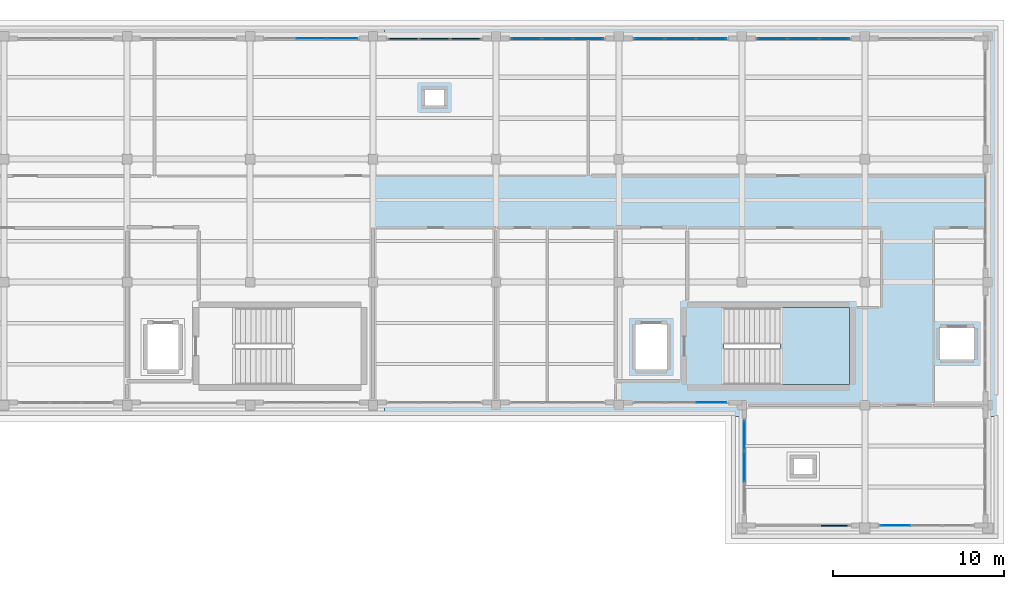
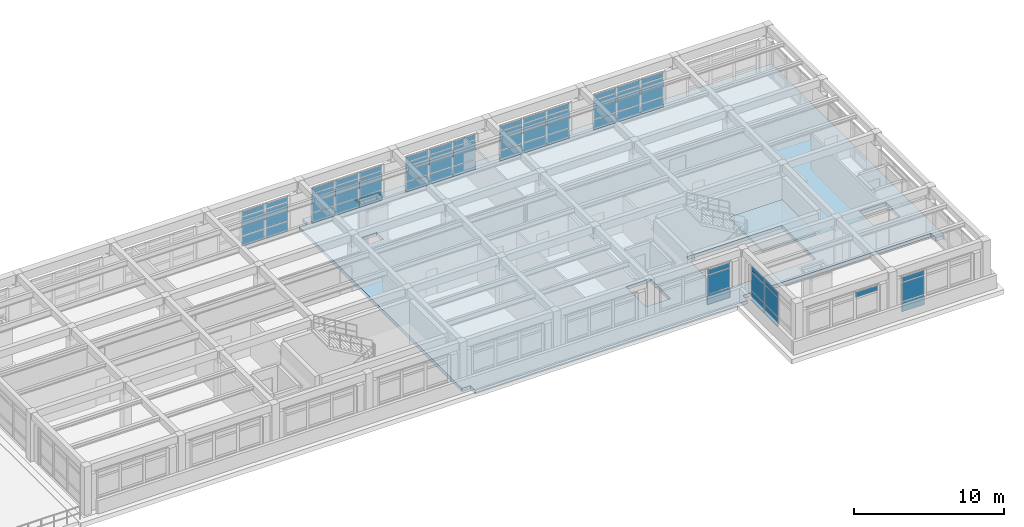
# One storey, part 13 of 21: 55 plates, 2 slabs, 10 elements without a shape of their own.
"""IFC4 building model written with IfcOpenShell, lengths in metres."""

from ifc_helpers import new_model, si_unit, direction, frame, origin, origin_2d, place, context, subcontext, project, spatial, polyline, rectangle, outline, extrude, material, layer, layer_set, type_object, element, aggregate, save


model = new_model("IFC4")

# Units and contexts
model_context = context("Model", 3, precision=1e-05, world=origin(), true_north=direction((0.0, 1.0)))
body_context = subcontext(model_context, "Body", "Model", "MODEL_VIEW")
ifc_project = project(units=[si_unit("LENGTHUNIT", "METRE"), si_unit("AREAUNIT", "SQUARE_METRE"), si_unit("VOLUMEUNIT", "CUBIC_METRE"), si_unit("PLANEANGLEUNIT", "RADIAN"), si_unit("MASSUNIT", "GRAM", prefix="KILO")], contexts=[model_context])

# Site, building, storey
site_placement = place(None, origin())
site = spatial("IfcSite", under=ifc_project, at=site_placement, CompositionType="ELEMENT")
building_placement = place(site_placement, origin())
building = spatial("IfcBuilding", under=site, at=building_placement, Name="Solenvale Faculty of Natural Sciences", CompositionType="ELEMENT")
storey_placement = place(building_placement, frame((0.0, 0.0, 31.199951171875)))
storey = spatial("IfcBuildingStorey", under=building, at=storey_placement, Name="L07", CompositionType="ELEMENT", Elevation=31.199951171875)

# Curtain wall, plates
ifc_material_1 = material(Name="Anodised bronze aluminium", Category="aluminium")
ifc_layer_1 = layer(ifc_material_1, 0.179931640625)
ifc_layer_set_1 = layer_set([ifc_layer_1], Name="Anodised bronze aluminium")
curtain_wall_type = type_object("IfcCurtainWallType", Name="CW-TWR-MOD", PredefinedType="USERDEFINED", material=ifc_layer_set_1)
curtain_wall_1_placement = place(storey_placement, origin())
curtain_wall_1 = element("IfcCurtainWall", 1, at=curtain_wall_1_placement, inside=storey, type_object=curtain_wall_type, Name="L07 Curtain Wall CW-L07-P1-E2-B6", ObjectType="UNITISED CURTAIN WALL", PredefinedType="USERDEFINED")
ifc_material_2 = material(Name="North-light skylight glass", Category="glass")
ifc_layer_2 = layer(ifc_material_2, 0.028076171875)
ifc_layer_set_2 = layer_set([ifc_layer_2], Name="North-light skylight glass")
plate_type_1 = type_object("IfcPlateType", Name="CWP-PNL-28", PredefinedType="CURTAIN_PANEL", material=ifc_layer_set_2)
plate_1_placement = place(storey_placement, frame((113.41455078125, 115.0576171875, 0.074951171875), z_axis=(0.0, 0.0, 1.0), x_axis=(-1.0, 0.0, 0.0)))
plate_1 = element("IfcPlate", 2, at=plate_1_placement, type_object=plate_type_1, Name="CW-04 panel 1.1", PredefinedType="CURTAIN_PANEL", context=body_context, shape_type="SweptSolid", body=[
    extrude(rectangle(XDim=1.720947265625, YDim=0.028076171875, at=origin_2d()), origin(), (0.0, 0.0, 1.0), 0.78759765625),
])
plate_2_placement = place(storey_placement, frame((113.41455078125, 115.0576171875, 0.9375), z_axis=(0.0, 0.0, 1.0), x_axis=(-1.0, 0.0, 0.0)))
plate_2 = element("IfcPlate", 3, at=plate_2_placement, type_object=plate_type_1, Name="CW-04 panel 1.2", PredefinedType="CURTAIN_PANEL", context=body_context, shape_type="SweptSolid", body=[
    extrude(rectangle(XDim=1.720947265625, YDim=0.028076171875, at=origin_2d()), origin(), (0.0, 0.0, 1.0), 1.485107421875),
])
plate_3_placement = place(storey_placement, frame((113.41455078125, 115.0576171875, 2.49755859375), z_axis=(0.0, 0.0, 1.0), x_axis=(-1.0, 0.0, 0.0)))
plate_3 = element("IfcPlate", 4, at=plate_3_placement, type_object=plate_type_1, Name="CW-04 panel 1.3", PredefinedType="CURTAIN_PANEL", context=body_context, shape_type="SweptSolid", body=[
    extrude(rectangle(XDim=1.720947265625, YDim=0.028076171875, at=origin_2d()), origin(), (0.0, 0.0, 1.0), 0.387451171875),
])
plate_4_placement = place(storey_placement, frame((111.60009765625, 115.0576171875, 0.074951171875), z_axis=(0.0, 0.0, 1.0), x_axis=(-1.0, 0.0, 0.0)))
plate_4 = element("IfcPlate", 5, at=plate_4_placement, type_object=plate_type_1, Name="CW-04 panel 2.1", PredefinedType="CURTAIN_PANEL", context=body_context, shape_type="SweptSolid", body=[
    extrude(rectangle(XDim=1.75830078125, YDim=0.028076171875, at=origin_2d()), origin(), (0.0, 0.0, 1.0), 0.78759765625),
])
plate_5_placement = place(storey_placement, frame((111.60009765625, 115.0576171875, 0.9375), z_axis=(0.0, 0.0, 1.0), x_axis=(-1.0, 0.0, 0.0)))
plate_5 = element("IfcPlate", 6, at=plate_5_placement, type_object=plate_type_1, Name="CW-04 panel 2.2", PredefinedType="CURTAIN_PANEL", context=body_context, shape_type="SweptSolid", body=[
    extrude(rectangle(XDim=1.75830078125, YDim=0.028076171875, at=origin_2d()), origin(), (0.0, 0.0, 1.0), 1.485107421875),
])
plate_6_placement = place(storey_placement, frame((111.60009765625, 115.0576171875, 2.49755859375), z_axis=(0.0, 0.0, 1.0), x_axis=(-1.0, 0.0, 0.0)))
plate_6 = element("IfcPlate", 7, at=plate_6_placement, type_object=plate_type_1, Name="CW-04 panel 2.3", PredefinedType="CURTAIN_PANEL", context=body_context, shape_type="SweptSolid", body=[
    extrude(rectangle(XDim=1.75830078125, YDim=0.028076171875, at=origin_2d()), origin(), (0.0, 0.0, 1.0), 0.387451171875),
])
aggregate(curtain_wall_1, [plate_1, plate_2, plate_3, plate_4, plate_5, plate_6])

curtain_wall_2_placement = place(storey_placement, origin())
curtain_wall_2 = element("IfcCurtainWall", 8, at=curtain_wall_2_placement, inside=storey, type_object=curtain_wall_type, Name="L07 Curtain Wall CW-L07-P1-E6-B2", ObjectType="UNITISED CURTAIN WALL", PredefinedType="USERDEFINED")
plate_7_placement = place(storey_placement, frame((145.785400390625, 86.54248046875, 0.074951171875), z_axis=(0.0, 0.0, 1.0), x_axis=(1.0, 0.0, 0.0)))
plate_7 = element("IfcPlate", 9, at=plate_7_placement, type_object=plate_type_1, Name="CW-04 panel 1.1", PredefinedType="CURTAIN_PANEL", context=body_context, shape_type="SweptSolid", body=[
    extrude(rectangle(XDim=1.720947265625, YDim=0.028076171875, at=origin_2d()), origin(), (0.0, 0.0, 1.0), 0.78759765625),
])
plate_8_placement = place(storey_placement, frame((145.785400390625, 86.54248046875, 0.9375), z_axis=(0.0, 0.0, 1.0), x_axis=(1.0, 0.0, 0.0)))
plate_8 = element("IfcPlate", 10, at=plate_8_placement, type_object=plate_type_1, Name="CW-04 panel 1.2", PredefinedType="CURTAIN_PANEL", context=body_context, shape_type="SweptSolid", body=[
    extrude(rectangle(XDim=1.720947265625, YDim=0.028076171875, at=origin_2d()), origin(), (0.0, 0.0, 1.0), 1.485107421875),
])
plate_9_placement = place(storey_placement, frame((145.785400390625, 86.54248046875, 2.49755859375), z_axis=(0.0, 0.0, 1.0), x_axis=(1.0, 0.0, 0.0)))
plate_9 = element("IfcPlate", 11, at=plate_9_placement, type_object=plate_type_1, Name="CW-04 panel 1.3", PredefinedType="CURTAIN_PANEL", context=body_context, shape_type="SweptSolid", body=[
    extrude(rectangle(XDim=1.720947265625, YDim=0.028076171875, at=origin_2d()), origin(), (0.0, 0.0, 1.0), 0.387451171875),
])
aggregate(curtain_wall_2, [plate_7, plate_8, plate_9])

curtain_wall_3_placement = place(storey_placement, origin())
curtain_wall_3 = element("IfcCurtainWall", 12, at=curtain_wall_3_placement, inside=storey, type_object=curtain_wall_type, Name="L07 Curtain Wall CW-L07-P1-E4-B7", ObjectType="UNITISED CURTAIN WALL", PredefinedType="USERDEFINED")
ifc_material_3 = material(Name="Triple low-E insulated glass", Category="glass")
ifc_layer_3 = layer(ifc_material_3, 0.0400390625)
ifc_layer_set_3 = layer_set([ifc_layer_3], Name="Triple low-E insulated glass")
plate_type_2 = type_object("IfcPlateType", Name="CWP-PNL-40", PredefinedType="CURTAIN_PANEL", material=ifc_layer_set_3)
plate_10_placement = place(storey_placement, frame((135.0146484375, 93.742431640625, 0.074951171875), z_axis=(0.0, 0.0, 1.0), x_axis=(1.0, 0.0, 0.0)))
plate_10 = element("IfcPlate", 13, at=plate_10_placement, type_object=plate_type_2, Name="CW-04 panel 3.1", PredefinedType="CURTAIN_PANEL", context=body_context, shape_type="SweptSolid", body=[
    extrude(rectangle(XDim=1.720947265625, YDim=0.0400390625, at=origin_2d()), origin(), (0.0, 0.0, 1.0), 0.78759765625),
])
plate_11_placement = place(storey_placement, frame((135.0146484375, 93.742431640625, 0.9375), z_axis=(0.0, 0.0, 1.0), x_axis=(1.0, 0.0, 0.0)))
plate_11 = element("IfcPlate", 14, at=plate_11_placement, type_object=plate_type_2, Name="CW-04 panel 3.2", PredefinedType="CURTAIN_PANEL", context=body_context, shape_type="SweptSolid", body=[
    extrude(rectangle(XDim=1.720947265625, YDim=0.0400390625, at=origin_2d()), origin(), (0.0, 0.0, 1.0), 1.485107421875),
])
plate_12_placement = place(storey_placement, frame((135.0146484375, 93.742431640625, 2.49755859375), z_axis=(0.0, 0.0, 1.0), x_axis=(1.0, 0.0, 0.0)))
plate_12 = element("IfcPlate", 15, at=plate_12_placement, type_object=plate_type_2, Name="CW-04 panel 3.3", PredefinedType="CURTAIN_PANEL", context=body_context, shape_type="SweptSolid", body=[
    extrude(rectangle(XDim=1.720947265625, YDim=0.0400390625, at=origin_2d()), origin(), (0.0, 0.0, 1.0), 0.387451171875),
])
aggregate(curtain_wall_3, [plate_10, plate_11, plate_12])

curtain_wall_4_placement = place(storey_placement, origin())
curtain_wall_4 = element("IfcCurtainWall", 16, at=curtain_wall_4_placement, inside=storey, type_object=curtain_wall_type, Name="L07 Curtain Wall CW-L07-P1-E2-B2", ObjectType="UNITISED CURTAIN WALL", PredefinedType="USERDEFINED")
ifc_layer_4 = layer(ifc_material_3, 0.0439453125)
ifc_layer_set_4 = layer_set([ifc_layer_4], Name="Triple low-E insulated glass")
plate_type_3 = type_object("IfcPlateType", Name="CWP-PNL-44", PredefinedType="CURTAIN_PANEL", material=ifc_layer_set_4)
plate_13_placement = place(storey_placement, frame((142.214599609375, 115.0576171875, 0.074951171875), z_axis=(0.0, 0.0, 1.0), x_axis=(-1.0, 0.0, 0.0)))
plate_13 = element("IfcPlate", 17, at=plate_13_placement, type_object=plate_type_3, Name="CW-04 panel 1.1", PredefinedType="CURTAIN_PANEL", context=body_context, shape_type="SweptSolid", body=[
    extrude(rectangle(XDim=1.720947265625, YDim=0.0439453125, at=origin_2d()), origin(), (0.0, 0.0, 1.0), 0.78759765625),
])
plate_14_placement = place(storey_placement, frame((142.214599609375, 115.0576171875, 0.9375), z_axis=(0.0, 0.0, 1.0), x_axis=(-1.0, 0.0, 0.0)))
plate_14 = element("IfcPlate", 18, at=plate_14_placement, type_object=plate_type_3, Name="CW-04 panel 1.2", PredefinedType="CURTAIN_PANEL", context=body_context, shape_type="SweptSolid", body=[
    extrude(rectangle(XDim=1.720947265625, YDim=0.0439453125, at=origin_2d()), origin(), (0.0, 0.0, 1.0), 1.485107421875),
])
plate_15_placement = place(storey_placement, frame((142.214599609375, 115.0576171875, 2.49755859375), z_axis=(0.0, 0.0, 1.0), x_axis=(-1.0, 0.0, 0.0)))
plate_15 = element("IfcPlate", 19, at=plate_15_placement, type_object=plate_type_3, Name="CW-04 panel 1.3", PredefinedType="CURTAIN_PANEL", context=body_context, shape_type="SweptSolid", body=[
    extrude(rectangle(XDim=1.720947265625, YDim=0.0439453125, at=origin_2d()), origin(), (0.0, 0.0, 1.0), 0.387451171875),
])
plate_16_placement = place(storey_placement, frame((140.39990234375, 115.0576171875, 0.074951171875), z_axis=(0.0, 0.0, 1.0), x_axis=(-1.0, 0.0, 0.0)))
plate_16 = element("IfcPlate", 20, at=plate_16_placement, type_object=plate_type_3, Name="CW-04 panel 2.1", PredefinedType="CURTAIN_PANEL", context=body_context, shape_type="SweptSolid", body=[
    extrude(rectangle(XDim=1.75830078125, YDim=0.0439453125, at=origin_2d()), origin(), (0.0, 0.0, 1.0), 0.78759765625),
])
plate_17_placement = place(storey_placement, frame((140.39990234375, 115.0576171875, 0.9375), z_axis=(0.0, 0.0, 1.0), x_axis=(-1.0, 0.0, 0.0)))
plate_17 = element("IfcPlate", 21, at=plate_17_placement, type_object=plate_type_3, Name="CW-04 panel 2.2", PredefinedType="CURTAIN_PANEL", context=body_context, shape_type="SweptSolid", body=[
    extrude(rectangle(XDim=1.75830078125, YDim=0.0439453125, at=origin_2d()), origin(), (0.0, 0.0, 1.0), 1.485107421875),
])
plate_18_placement = place(storey_placement, frame((140.39990234375, 115.0576171875, 2.49755859375), z_axis=(0.0, 0.0, 1.0), x_axis=(-1.0, 0.0, 0.0)))
plate_18 = element("IfcPlate", 22, at=plate_18_placement, type_object=plate_type_3, Name="CW-04 panel 2.3", PredefinedType="CURTAIN_PANEL", context=body_context, shape_type="SweptSolid", body=[
    extrude(rectangle(XDim=1.75830078125, YDim=0.0439453125, at=origin_2d()), origin(), (0.0, 0.0, 1.0), 0.387451171875),
])
plate_19_placement = place(storey_placement, frame((138.58544921875, 115.0576171875, 0.074951171875), z_axis=(0.0, 0.0, 1.0), x_axis=(-1.0, 0.0, 0.0)))
plate_19 = element("IfcPlate", 23, at=plate_19_placement, type_object=plate_type_3, Name="CW-04 panel 3.1", PredefinedType="CURTAIN_PANEL", context=body_context, shape_type="SweptSolid", body=[
    extrude(rectangle(XDim=1.720947265625, YDim=0.0439453125, at=origin_2d()), origin(), (0.0, 0.0, 1.0), 0.78759765625),
])
plate_20_placement = place(storey_placement, frame((138.58544921875, 115.0576171875, 0.9375), z_axis=(0.0, 0.0, 1.0), x_axis=(-1.0, 0.0, 0.0)))
plate_20 = element("IfcPlate", 24, at=plate_20_placement, type_object=plate_type_3, Name="CW-04 panel 3.2", PredefinedType="CURTAIN_PANEL", context=body_context, shape_type="SweptSolid", body=[
    extrude(rectangle(XDim=1.720947265625, YDim=0.0439453125, at=origin_2d()), origin(), (0.0, 0.0, 1.0), 1.485107421875),
])
plate_21_placement = place(storey_placement, frame((138.58544921875, 115.0576171875, 2.49755859375), z_axis=(0.0, 0.0, 1.0), x_axis=(-1.0, 0.0, 0.0)))
plate_21 = element("IfcPlate", 25, at=plate_21_placement, type_object=plate_type_3, Name="CW-04 panel 3.3", PredefinedType="CURTAIN_PANEL", context=body_context, shape_type="SweptSolid", body=[
    extrude(rectangle(XDim=1.720947265625, YDim=0.0439453125, at=origin_2d()), origin(), (0.0, 0.0, 1.0), 0.387451171875),
])
aggregate(curtain_wall_4, [plate_13, plate_14, plate_15, plate_16, plate_17, plate_18, plate_19, plate_20, plate_21])

curtain_wall_5_placement = place(storey_placement, origin())
curtain_wall_5 = element("IfcCurtainWall", 26, at=curtain_wall_5_placement, inside=storey, type_object=curtain_wall_type, Name="L07 Curtain Wall CW-L07-P1-E2-B3", ObjectType="UNITISED CURTAIN WALL", PredefinedType="USERDEFINED")
ifc_layer_5 = layer(ifc_material_1, 0.048095703125)
ifc_layer_set_5 = layer_set([ifc_layer_5], Name="Anodised bronze aluminium")
plate_type_4 = type_object("IfcPlateType", Name="CWP-PNL-48", PredefinedType="CURTAIN_PANEL", material=ifc_layer_set_5)
plate_22_placement = place(storey_placement, frame((135.0146484375, 115.0576171875, 0.074951171875), z_axis=(0.0, 0.0, 1.0), x_axis=(-1.0, 0.0, 0.0)))
plate_22 = element("IfcPlate", 27, at=plate_22_placement, type_object=plate_type_4, Name="CW-04 panel 1.1", PredefinedType="CURTAIN_PANEL", context=body_context, shape_type="SweptSolid", body=[
    extrude(rectangle(XDim=1.720947265625, YDim=0.048095703125, at=origin_2d()), origin(), (0.0, 0.0, 1.0), 0.78759765625),
])
plate_23_placement = place(storey_placement, frame((135.0146484375, 115.0576171875, 0.9375), z_axis=(0.0, 0.0, 1.0), x_axis=(-1.0, 0.0, 0.0)))
plate_23 = element("IfcPlate", 28, at=plate_23_placement, type_object=plate_type_4, Name="CW-04 panel 1.2", PredefinedType="CURTAIN_PANEL", context=body_context, shape_type="SweptSolid", body=[
    extrude(rectangle(XDim=1.720947265625, YDim=0.048095703125, at=origin_2d()), origin(), (0.0, 0.0, 1.0), 1.485107421875),
])
plate_24_placement = place(storey_placement, frame((135.0146484375, 115.0576171875, 2.49755859375), z_axis=(0.0, 0.0, 1.0), x_axis=(-1.0, 0.0, 0.0)))
plate_24 = element("IfcPlate", 29, at=plate_24_placement, type_object=plate_type_4, Name="CW-04 panel 1.3", PredefinedType="CURTAIN_PANEL", context=body_context, shape_type="SweptSolid", body=[
    extrude(rectangle(XDim=1.720947265625, YDim=0.048095703125, at=origin_2d()), origin(), (0.0, 0.0, 1.0), 0.387451171875),
])
plate_25_placement = place(storey_placement, frame((133.199951171875, 115.0576171875, 0.074951171875), z_axis=(0.0, 0.0, 1.0), x_axis=(-1.0, 0.0, 0.0)))
plate_25 = element("IfcPlate", 30, at=plate_25_placement, type_object=plate_type_4, Name="CW-04 panel 2.1", PredefinedType="CURTAIN_PANEL", context=body_context, shape_type="SweptSolid", body=[
    extrude(rectangle(XDim=1.75830078125, YDim=0.048095703125, at=origin_2d()), origin(), (0.0, 0.0, 1.0), 0.78759765625),
])
plate_26_placement = place(storey_placement, frame((133.199951171875, 115.0576171875, 0.9375), z_axis=(0.0, 0.0, 1.0), x_axis=(-1.0, 0.0, 0.0)))
plate_26 = element("IfcPlate", 31, at=plate_26_placement, type_object=plate_type_4, Name="CW-04 panel 2.2", PredefinedType="CURTAIN_PANEL", context=body_context, shape_type="SweptSolid", body=[
    extrude(rectangle(XDim=1.75830078125, YDim=0.048095703125, at=origin_2d()), origin(), (0.0, 0.0, 1.0), 1.485107421875),
])
plate_27_placement = place(storey_placement, frame((133.199951171875, 115.0576171875, 2.49755859375), z_axis=(0.0, 0.0, 1.0), x_axis=(-1.0, 0.0, 0.0)))
plate_27 = element("IfcPlate", 32, at=plate_27_placement, type_object=plate_type_4, Name="CW-04 panel 2.3", PredefinedType="CURTAIN_PANEL", context=body_context, shape_type="SweptSolid", body=[
    extrude(rectangle(XDim=1.75830078125, YDim=0.048095703125, at=origin_2d()), origin(), (0.0, 0.0, 1.0), 0.387451171875),
])
plate_28_placement = place(storey_placement, frame((131.385498046875, 115.0576171875, 0.074951171875), z_axis=(0.0, 0.0, 1.0), x_axis=(-1.0, 0.0, 0.0)))
plate_28 = element("IfcPlate", 33, at=plate_28_placement, type_object=plate_type_4, Name="CW-04 panel 3.1", PredefinedType="CURTAIN_PANEL", context=body_context, shape_type="SweptSolid", body=[
    extrude(rectangle(XDim=1.720947265625, YDim=0.048095703125, at=origin_2d()), origin(), (0.0, 0.0, 1.0), 0.78759765625),
])
plate_29_placement = place(storey_placement, frame((131.385498046875, 115.0576171875, 0.9375), z_axis=(0.0, 0.0, 1.0), x_axis=(-1.0, 0.0, 0.0)))
plate_29 = element("IfcPlate", 34, at=plate_29_placement, type_object=plate_type_4, Name="CW-04 panel 3.2", PredefinedType="CURTAIN_PANEL", context=body_context, shape_type="SweptSolid", body=[
    extrude(rectangle(XDim=1.720947265625, YDim=0.048095703125, at=origin_2d()), origin(), (0.0, 0.0, 1.0), 1.485107421875),
])
plate_30_placement = place(storey_placement, frame((131.385498046875, 115.0576171875, 2.49755859375), z_axis=(0.0, 0.0, 1.0), x_axis=(-1.0, 0.0, 0.0)))
plate_30 = element("IfcPlate", 35, at=plate_30_placement, type_object=plate_type_4, Name="CW-04 panel 3.3", PredefinedType="CURTAIN_PANEL", context=body_context, shape_type="SweptSolid", body=[
    extrude(rectangle(XDim=1.720947265625, YDim=0.048095703125, at=origin_2d()), origin(), (0.0, 0.0, 1.0), 0.387451171875),
])
aggregate(curtain_wall_5, [plate_22, plate_23, plate_24, plate_25, plate_26, plate_27, plate_28, plate_29, plate_30])

curtain_wall_6_placement = place(storey_placement, origin())
curtain_wall_6 = element("IfcCurtainWall", 36, at=curtain_wall_6_placement, inside=storey, type_object=curtain_wall_type, Name="L07 Curtain Wall CW-L07-P1-E2-B4", ObjectType="UNITISED CURTAIN WALL", PredefinedType="USERDEFINED")
ifc_layer_6 = layer(ifc_material_1, 0.053955078125)
ifc_layer_set_6 = layer_set([ifc_layer_6], Name="Anodised bronze aluminium")
plate_type_5 = type_object("IfcPlateType", Name="CWP-PNL-54", PredefinedType="CURTAIN_PANEL", material=ifc_layer_set_6)
plate_31_placement = place(storey_placement, frame((127.814697265625, 115.0576171875, 0.074951171875), z_axis=(0.0, 0.0, 1.0), x_axis=(-1.0, 0.0, 0.0)))
plate_31 = element("IfcPlate", 37, at=plate_31_placement, type_object=plate_type_5, Name="CW-04 panel 1.1", PredefinedType="CURTAIN_PANEL", context=body_context, shape_type="SweptSolid", body=[
    extrude(rectangle(XDim=1.720947265625, YDim=0.053955078125, at=origin_2d()), origin(), (0.0, 0.0, 1.0), 0.78759765625),
])
plate_32_placement = place(storey_placement, frame((127.814697265625, 115.0576171875, 0.9375), z_axis=(0.0, 0.0, 1.0), x_axis=(-1.0, 0.0, 0.0)))
plate_32 = element("IfcPlate", 38, at=plate_32_placement, type_object=plate_type_5, Name="CW-04 panel 1.2", PredefinedType="CURTAIN_PANEL", context=body_context, shape_type="SweptSolid", body=[
    extrude(rectangle(XDim=1.720947265625, YDim=0.053955078125, at=origin_2d()), origin(), (0.0, 0.0, 1.0), 1.485107421875),
])
plate_33_placement = place(storey_placement, frame((127.814697265625, 115.0576171875, 2.49755859375), z_axis=(0.0, 0.0, 1.0), x_axis=(-1.0, 0.0, 0.0)))
plate_33 = element("IfcPlate", 39, at=plate_33_placement, type_object=plate_type_5, Name="CW-04 panel 1.3", PredefinedType="CURTAIN_PANEL", context=body_context, shape_type="SweptSolid", body=[
    extrude(rectangle(XDim=1.720947265625, YDim=0.053955078125, at=origin_2d()), origin(), (0.0, 0.0, 1.0), 0.387451171875),
])
plate_34_placement = place(storey_placement, frame((126.0, 115.0576171875, 0.074951171875), z_axis=(0.0, 0.0, 1.0), x_axis=(-1.0, 0.0, 0.0)))
plate_34 = element("IfcPlate", 40, at=plate_34_placement, type_object=plate_type_5, Name="CW-04 panel 2.1", PredefinedType="CURTAIN_PANEL", context=body_context, shape_type="SweptSolid", body=[
    extrude(rectangle(XDim=1.75830078125, YDim=0.053955078125, at=origin_2d()), origin(), (0.0, 0.0, 1.0), 0.78759765625),
])
plate_35_placement = place(storey_placement, frame((126.0, 115.0576171875, 0.9375), z_axis=(0.0, 0.0, 1.0), x_axis=(-1.0, 0.0, 0.0)))
plate_35 = element("IfcPlate", 41, at=plate_35_placement, type_object=plate_type_5, Name="CW-04 panel 2.2", PredefinedType="CURTAIN_PANEL", context=body_context, shape_type="SweptSolid", body=[
    extrude(rectangle(XDim=1.75830078125, YDim=0.053955078125, at=origin_2d()), origin(), (0.0, 0.0, 1.0), 1.485107421875),
])
plate_36_placement = place(storey_placement, frame((126.0, 115.0576171875, 2.49755859375), z_axis=(0.0, 0.0, 1.0), x_axis=(-1.0, 0.0, 0.0)))
plate_36 = element("IfcPlate", 42, at=plate_36_placement, type_object=plate_type_5, Name="CW-04 panel 2.3", PredefinedType="CURTAIN_PANEL", context=body_context, shape_type="SweptSolid", body=[
    extrude(rectangle(XDim=1.75830078125, YDim=0.053955078125, at=origin_2d()), origin(), (0.0, 0.0, 1.0), 0.387451171875),
])
plate_37_placement = place(storey_placement, frame((124.185302734375, 115.0576171875, 0.074951171875), z_axis=(0.0, 0.0, 1.0), x_axis=(-1.0, 0.0, 0.0)))
plate_37 = element("IfcPlate", 43, at=plate_37_placement, type_object=plate_type_5, Name="CW-04 panel 3.1", PredefinedType="CURTAIN_PANEL", context=body_context, shape_type="SweptSolid", body=[
    extrude(rectangle(XDim=1.720947265625, YDim=0.053955078125, at=origin_2d()), origin(), (0.0, 0.0, 1.0), 0.78759765625),
])
plate_38_placement = place(storey_placement, frame((124.185302734375, 115.0576171875, 0.9375), z_axis=(0.0, 0.0, 1.0), x_axis=(-1.0, 0.0, 0.0)))
plate_38 = element("IfcPlate", 44, at=plate_38_placement, type_object=plate_type_5, Name="CW-04 panel 3.2", PredefinedType="CURTAIN_PANEL", context=body_context, shape_type="SweptSolid", body=[
    extrude(rectangle(XDim=1.720947265625, YDim=0.053955078125, at=origin_2d()), origin(), (0.0, 0.0, 1.0), 1.485107421875),
])
plate_39_placement = place(storey_placement, frame((124.185302734375, 115.0576171875, 2.49755859375), z_axis=(0.0, 0.0, 1.0), x_axis=(-1.0, 0.0, 0.0)))
plate_39 = element("IfcPlate", 45, at=plate_39_placement, type_object=plate_type_5, Name="CW-04 panel 3.3", PredefinedType="CURTAIN_PANEL", context=body_context, shape_type="SweptSolid", body=[
    extrude(rectangle(XDim=1.720947265625, YDim=0.053955078125, at=origin_2d()), origin(), (0.0, 0.0, 1.0), 0.387451171875),
])
aggregate(curtain_wall_6, [plate_31, plate_32, plate_33, plate_34, plate_35, plate_36, plate_37, plate_38, plate_39])

curtain_wall_7_placement = place(storey_placement, origin())
curtain_wall_7 = element("IfcCurtainWall", 46, at=curtain_wall_7_placement, inside=storey, type_object=curtain_wall_type, Name="L07 Curtain Wall CW-L07-P1-E5-B1", ObjectType="UNITISED CURTAIN WALL", PredefinedType="USERDEFINED")
plate_40_placement = place(storey_placement, frame((136.9423828125, 91.814697265625, 0.074951171875), z_axis=(0.0, 0.0, 1.0), x_axis=(0.0, -1.0, 0.0)))
plate_40 = element("IfcPlate", 47, at=plate_40_placement, type_object=plate_type_5, Name="CW-04 panel 1.1", PredefinedType="CURTAIN_PANEL", context=body_context, shape_type="SweptSolid", body=[
    extrude(rectangle(XDim=1.720947265625, YDim=0.053955078125, at=origin_2d()), origin(), (0.0, 0.0, 1.0), 0.78759765625),
])
plate_41_placement = place(storey_placement, frame((136.9423828125, 91.814697265625, 0.9375), z_axis=(0.0, 0.0, 1.0), x_axis=(0.0, -1.0, 0.0)))
plate_41 = element("IfcPlate", 48, at=plate_41_placement, type_object=plate_type_5, Name="CW-04 panel 1.2", PredefinedType="CURTAIN_PANEL", context=body_context, shape_type="SweptSolid", body=[
    extrude(rectangle(XDim=1.720947265625, YDim=0.053955078125, at=origin_2d()), origin(), (0.0, 0.0, 1.0), 1.485107421875),
])
plate_42_placement = place(storey_placement, frame((136.9423828125, 91.814697265625, 2.49755859375), z_axis=(0.0, 0.0, 1.0), x_axis=(0.0, -1.0, 0.0)))
plate_42 = element("IfcPlate", 49, at=plate_42_placement, type_object=plate_type_5, Name="CW-04 panel 1.3", PredefinedType="CURTAIN_PANEL", context=body_context, shape_type="SweptSolid", body=[
    extrude(rectangle(XDim=1.720947265625, YDim=0.053955078125, at=origin_2d()), origin(), (0.0, 0.0, 1.0), 0.387451171875),
])
plate_43_placement = place(storey_placement, frame((136.9423828125, 90.0, 0.074951171875), z_axis=(0.0, 0.0, 1.0), x_axis=(0.0, -1.0, 0.0)))
plate_43 = element("IfcPlate", 50, at=plate_43_placement, type_object=plate_type_5, Name="CW-04 panel 2.1", PredefinedType="CURTAIN_PANEL", context=body_context, shape_type="SweptSolid", body=[
    extrude(rectangle(XDim=1.75830078125, YDim=0.053955078125, at=origin_2d()), origin(), (0.0, 0.0, 1.0), 0.78759765625),
])
plate_44_placement = place(storey_placement, frame((136.9423828125, 90.0, 0.9375), z_axis=(0.0, 0.0, 1.0), x_axis=(0.0, -1.0, 0.0)))
plate_44 = element("IfcPlate", 51, at=plate_44_placement, type_object=plate_type_5, Name="CW-04 panel 2.2", PredefinedType="CURTAIN_PANEL", context=body_context, shape_type="SweptSolid", body=[
    extrude(rectangle(XDim=1.75830078125, YDim=0.053955078125, at=origin_2d()), origin(), (0.0, 0.0, 1.0), 1.485107421875),
])
plate_45_placement = place(storey_placement, frame((136.9423828125, 90.0, 2.49755859375), z_axis=(0.0, 0.0, 1.0), x_axis=(0.0, -1.0, 0.0)))
plate_45 = element("IfcPlate", 52, at=plate_45_placement, type_object=plate_type_5, Name="CW-04 panel 2.3", PredefinedType="CURTAIN_PANEL", context=body_context, shape_type="SweptSolid", body=[
    extrude(rectangle(XDim=1.75830078125, YDim=0.053955078125, at=origin_2d()), origin(), (0.0, 0.0, 1.0), 0.387451171875),
])
aggregate(curtain_wall_7, [plate_40, plate_41, plate_42, plate_43, plate_44, plate_45])

curtain_wall_8_placement = place(storey_placement, origin())
curtain_wall_8 = element("IfcCurtainWall", 53, at=curtain_wall_8_placement, inside=storey, type_object=curtain_wall_type, Name="L07 Curtain Wall CW-L07-P1-E2-B5", ObjectType="UNITISED CURTAIN WALL", PredefinedType="USERDEFINED")
ifc_layer_7 = layer(ifc_material_1, 0.06005859375)
ifc_layer_set_7 = layer_set([ifc_layer_7], Name="Anodised bronze aluminium")
plate_type_6 = type_object("IfcPlateType", Name="CWP-PNL-60", PredefinedType="CURTAIN_PANEL", material=ifc_layer_set_7)
plate_46_placement = place(storey_placement, frame((120.614501953125, 115.0576171875, 0.074951171875), z_axis=(0.0, 0.0, 1.0), x_axis=(-1.0, 0.0, 0.0)))
plate_46 = element("IfcPlate", 54, at=plate_46_placement, type_object=plate_type_6, Name="CW-04 panel 1.1", PredefinedType="CURTAIN_PANEL", context=body_context, shape_type="SweptSolid", body=[
    extrude(rectangle(XDim=1.720947265625, YDim=0.06005859375, at=origin_2d()), origin(), (0.0, 0.0, 1.0), 0.78759765625),
])
plate_47_placement = place(storey_placement, frame((120.614501953125, 115.0576171875, 0.9375), z_axis=(0.0, 0.0, 1.0), x_axis=(-1.0, 0.0, 0.0)))
plate_47 = element("IfcPlate", 55, at=plate_47_placement, type_object=plate_type_6, Name="CW-04 panel 1.2", PredefinedType="CURTAIN_PANEL", context=body_context, shape_type="SweptSolid", body=[
    extrude(rectangle(XDim=1.720947265625, YDim=0.06005859375, at=origin_2d()), origin(), (0.0, 0.0, 1.0), 1.485107421875),
])
plate_48_placement = place(storey_placement, frame((120.614501953125, 115.0576171875, 2.49755859375), z_axis=(0.0, 0.0, 1.0), x_axis=(-1.0, 0.0, 0.0)))
plate_48 = element("IfcPlate", 56, at=plate_48_placement, type_object=plate_type_6, Name="CW-04 panel 1.3", PredefinedType="CURTAIN_PANEL", context=body_context, shape_type="SweptSolid", body=[
    extrude(rectangle(XDim=1.720947265625, YDim=0.06005859375, at=origin_2d()), origin(), (0.0, 0.0, 1.0), 0.387451171875),
])
plate_49_placement = place(storey_placement, frame((118.800048828125, 115.0576171875, 0.074951171875), z_axis=(0.0, 0.0, 1.0), x_axis=(-1.0, 0.0, 0.0)))
plate_49 = element("IfcPlate", 57, at=plate_49_placement, type_object=plate_type_6, Name="CW-04 panel 2.1", PredefinedType="CURTAIN_PANEL", context=body_context, shape_type="SweptSolid", body=[
    extrude(rectangle(XDim=1.75830078125, YDim=0.06005859375, at=origin_2d()), origin(), (0.0, 0.0, 1.0), 0.78759765625),
])
plate_50_placement = place(storey_placement, frame((118.800048828125, 115.0576171875, 0.9375), z_axis=(0.0, 0.0, 1.0), x_axis=(-1.0, 0.0, 0.0)))
plate_50 = element("IfcPlate", 58, at=plate_50_placement, type_object=plate_type_6, Name="CW-04 panel 2.2", PredefinedType="CURTAIN_PANEL", context=body_context, shape_type="SweptSolid", body=[
    extrude(rectangle(XDim=1.75830078125, YDim=0.06005859375, at=origin_2d()), origin(), (0.0, 0.0, 1.0), 1.485107421875),
])
plate_51_placement = place(storey_placement, frame((118.800048828125, 115.0576171875, 2.49755859375), z_axis=(0.0, 0.0, 1.0), x_axis=(-1.0, 0.0, 0.0)))
plate_51 = element("IfcPlate", 59, at=plate_51_placement, type_object=plate_type_6, Name="CW-04 panel 2.3", PredefinedType="CURTAIN_PANEL", context=body_context, shape_type="SweptSolid", body=[
    extrude(rectangle(XDim=1.75830078125, YDim=0.06005859375, at=origin_2d()), origin(), (0.0, 0.0, 1.0), 0.387451171875),
])
plate_52_placement = place(storey_placement, frame((116.9853515625, 115.0576171875, 0.074951171875), z_axis=(0.0, 0.0, 1.0), x_axis=(-1.0, 0.0, 0.0)))
plate_52 = element("IfcPlate", 60, at=plate_52_placement, type_object=plate_type_6, Name="CW-04 panel 3.1", PredefinedType="CURTAIN_PANEL", context=body_context, shape_type="SweptSolid", body=[
    extrude(rectangle(XDim=1.720947265625, YDim=0.06005859375, at=origin_2d()), origin(), (0.0, 0.0, 1.0), 0.78759765625),
])
plate_53_placement = place(storey_placement, frame((116.9853515625, 115.0576171875, 0.9375), z_axis=(0.0, 0.0, 1.0), x_axis=(-1.0, 0.0, 0.0)))
plate_53 = element("IfcPlate", 61, at=plate_53_placement, type_object=plate_type_6, Name="CW-04 panel 3.2", PredefinedType="CURTAIN_PANEL", context=body_context, shape_type="SweptSolid", body=[
    extrude(rectangle(XDim=1.720947265625, YDim=0.06005859375, at=origin_2d()), origin(), (0.0, 0.0, 1.0), 1.485107421875),
])
plate_54_placement = place(storey_placement, frame((116.9853515625, 115.0576171875, 2.49755859375), z_axis=(0.0, 0.0, 1.0), x_axis=(-1.0, 0.0, 0.0)))
plate_54 = element("IfcPlate", 62, at=plate_54_placement, type_object=plate_type_6, Name="CW-04 panel 3.3", PredefinedType="CURTAIN_PANEL", context=body_context, shape_type="SweptSolid", body=[
    extrude(rectangle(XDim=1.720947265625, YDim=0.06005859375, at=origin_2d()), origin(), (0.0, 0.0, 1.0), 0.387451171875),
])
aggregate(curtain_wall_8, [plate_46, plate_47, plate_48, plate_49, plate_50, plate_51, plate_52, plate_53, plate_54])

# Curtain wall, plate
curtain_wall_9_placement = place(storey_placement, origin())
curtain_wall_9 = element("IfcCurtainWall", 63, at=curtain_wall_9_placement, inside=storey, type_object=curtain_wall_type, Name="L07 Curtain Wall CW-L07-P1-E6-B1", ObjectType="UNITISED CURTAIN WALL", PredefinedType="USERDEFINED")
plate_55_placement = place(storey_placement, frame((142.214599609375, 86.54248046875, 2.49755859375), z_axis=(0.0, 0.0, 1.0), x_axis=(1.0, 0.0, 0.0)))
plate_55 = element("IfcPlate", 64, at=plate_55_placement, type_object=plate_type_6, Name="CW-04 panel 3.3", PredefinedType="CURTAIN_PANEL", context=body_context, shape_type="SweptSolid", body=[
    extrude(rectangle(XDim=1.720947265625, YDim=0.06005859375, at=origin_2d()), origin(), (0.0, 0.0, 1.0), 0.387451171875),
])
aggregate(curtain_wall_9, [plate_55])

# Slab
ifc_material_4 = material(Name="Concrete 40 MPa", Category="concrete")
ifc_layer_8 = layer(ifc_material_4, 0.280029296875)
ifc_layer_set_8 = layer_set([ifc_layer_8], Name="Concrete 40 MPa")
slab_type_1 = type_object("IfcSlabType", Name="SL-FLR-280", PredefinedType="FLOOR", material=ifc_layer_set_8)
slab_1_placement = place(storey_placement, frame((0.0, 0.0, -0.280029296875)))
element("IfcSlab", 65, at=slab_1_placement, inside=storey, type_object=slab_type_1, Name="L07 V5 Floor Slab 2.1", PredefinedType="FLOOR", context=body_context, shape_type="SweptSolid", body=[
    extrude(outline(polyline([(115.22998046875, 115.195068359375), (115.2373046875, 115.212646484375), (115.2548828125, 115.219970703125), (115.8798828125, 115.219970703125), (115.8798828125, 115.85498046875), (115.88720703125, 115.872802734375), (115.905029296875, 115.8798828125), (151.868896484375, 115.875732421875), (151.8798828125, 115.85498046875), (151.875732421875, 92.93115234375), (151.85498046875, 92.919921875), (151.2451171875, 92.919921875), (151.227294921875, 92.92724609375), (151.219970703125, 92.945068359375), (151.219970703125, 93.55029296875), (151.214599609375, 93.563720703125), (151.2001953125, 93.570068359375), (136.80029296875, 93.570068359375), (136.786376953125, 93.564697265625), (136.780029296875, 93.55029296875), (136.77978515625, 92.9423828125), (136.77099609375, 92.92578125), (136.7548828125, 92.919921875), (115.89111328125, 92.92431640625), (115.8798828125, 92.945068359375), (115.8798828125, 93.580078125), (115.2548828125, 93.580078125), (115.2373046875, 93.58740234375), (115.22998046875, 93.60498046875), (115.22998046875, 115.195068359375)]), holes=[polyline([(148.385009765625, 96.260009765625), (150.4150390625, 96.260009765625), (150.4150390625, 98.139892578125), (148.385009765625, 98.139892578125), (148.385009765625, 96.260009765625)]), polyline([(135.739990234375, 94.800048828125), (143.10009765625, 94.800048828125), (143.10009765625, 99.300048828125), (135.739990234375, 99.300048828125), (135.739990234375, 94.800048828125)]), polyline([(130.56005859375, 95.66064453125), (132.43994140625, 95.659912109375), (132.43994140625, 98.340087890625), (130.56005859375, 98.340087890625), (130.56005859375, 95.66064453125)]), polyline([(118.25, 111.14990234375), (119.35009765625, 111.14990234375), (119.35009765625, 112.050048828125), (118.25, 112.050048828125), (118.25, 111.14990234375)])]), origin(), (0.0, 0.0, 1.0), 0.280029296875),
])

# Stair, slab
stair_type = type_object("IfcStairType", Name="STR-CORE-25R", PredefinedType="DOUBLE_RETURN_STAIR", material=ifc_material_4)
stair_placement = place(storey_placement, origin())
stair = element("IfcStair", 66, at=stair_placement, inside=storey, type_object=stair_type, Name="L07 Protected Exit Stair ST-05", PredefinedType="DOUBLE_RETURN_STAIR")
ifc_layer_9 = layer(ifc_material_4, 0.195068359375)
ifc_layer_set_9 = layer_set([ifc_layer_9], Name="Concrete 40 MPa")
slab_type_2 = type_object("IfcSlabType", Name="SL-LND-195", PredefinedType="LANDING", material=ifc_layer_set_9)
slab_2_placement = place(storey_placement, frame((0.0, 0.0, 1.900146484375)))
slab_2 = element("IfcSlab", 67, at=slab_2_placement, type_object=slab_type_2, Name="ST-05 landing 1", PredefinedType="LANDING", context=body_context, shape_type="SweptSolid", body=[
    extrude(outline(polyline([(139.0400390625, 94.800048828125), (143.10009765625, 94.800048828125), (143.10009765625, 99.300048828125), (139.0400390625, 99.300048828125), (139.0400390625, 94.800048828125)])), origin(), (0.0, 0.0, 1.0), 0.199951171875),
])
aggregate(stair, [slab_2])

save(model, "model.ifc")
